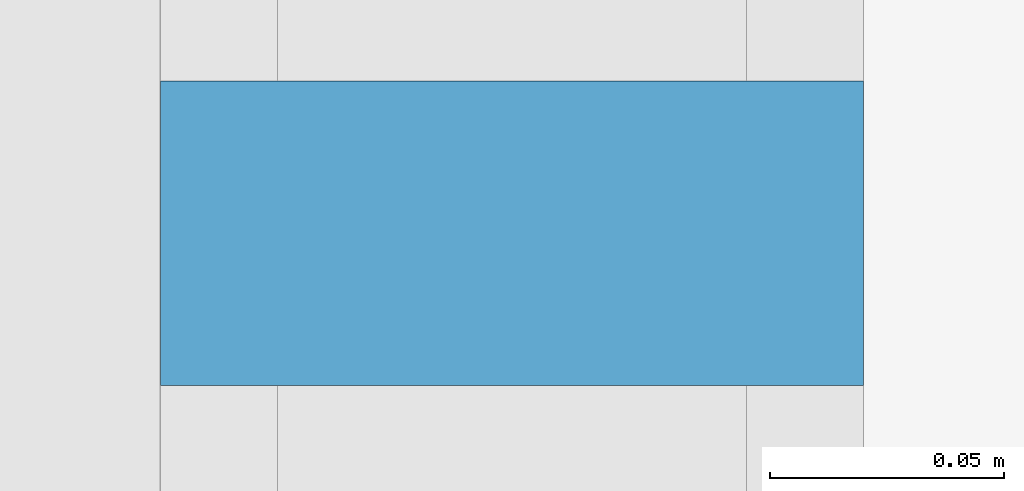
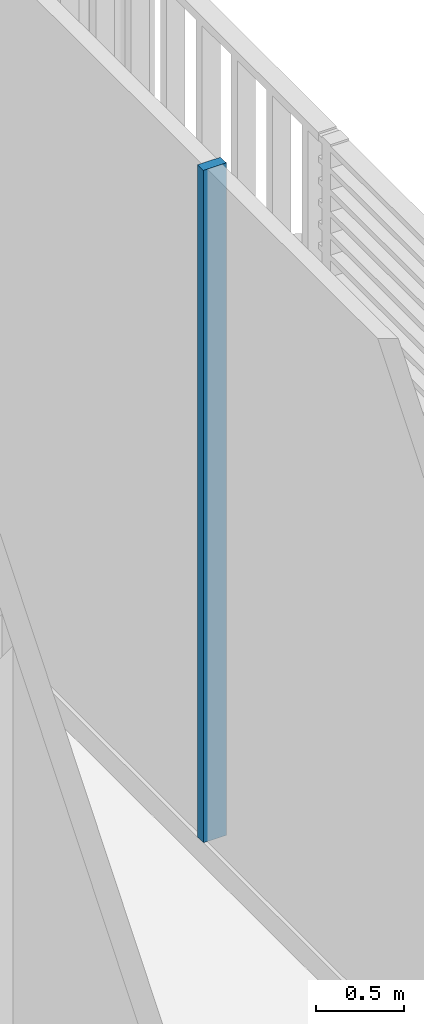
# One storey, part 11 of 22: 1 member, 1 element without a shape of its own.
"""IFC4 building model written with IfcOpenShell, lengths in metres."""

import ifcopenshell
import ifcopenshell.guid

model = None  # the IFC model being written
_history = None  # IfcOwnerHistory: only IFC2X3 demands one
_inside = {}  # id of a spatial element -> (the spatial element, [elements in it])
_under = {}  # id of a project, library or spatial element -> (it, [spatial elements below it])
_declared = {}  # id of a project -> (the project, [libraries it declares])
_typed = {}  # id of a type object -> (the type object, [elements of that type])
_made_of = {}  # id of a material, layer set ... -> (it, [elements and type objects made of it])


def new_model(schema):
    """Start an empty IFC model of exactly this schema.

    Asked for "IFC4X3", IfcOpenShell would pick the latest addendum, in which some entities
    have other attributes; the version numbers below select the first issue.
    IFC2X3 requires an IfcOwnerHistory on every rooted entity: one is made here for all.
    """
    global model, _history
    if schema == "IFC4X3":
        model = ifcopenshell.file(schema_version=(4, 3, 0, 0))
    else:
        model = ifcopenshell.file(schema=schema)
    _inside.clear()
    _under.clear()
    _declared.clear()
    _typed.clear()
    _made_of.clear()
    _history = None
    if model.schema == "IFC2X3":
        org = make("IfcOrganization", Name="unknown")
        user = make(
            "IfcPersonAndOrganization",
            ThePerson=make("IfcPerson", FamilyName="unknown"),
            TheOrganization=org,
        )
        app = make(
            "IfcApplication",
            ApplicationDeveloper=org,
            Version="unknown",
            ApplicationFullName="unknown",
            ApplicationIdentifier="unknown",
        )
        _history = make(
            "IfcOwnerHistory",
            OwningUser=user,
            OwningApplication=app,
            ChangeAction="ADDED",
            CreationDate=0,
        )
    return model


def make(cls, **values):
    """One entity of the class cls with the attributes given. An attribute that is None is left unset."""
    return model.create_entity(
        cls, **{name: value for name, value in values.items() if value is not None}
    )


def rooted(cls, **values):
    """An entity with a GlobalId (a new one), such as an element, a storey or a relation."""
    return make(cls, GlobalId=ifcopenshell.guid.new(), OwnerHistory=_history, **values)


def si_unit(unit_type, name, prefix=None):
    """IfcSIUnit, for example si_unit("LENGTHUNIT", "METRE", prefix="MILLI")."""
    return make("IfcSIUnit", UnitType=unit_type, Prefix=prefix, Name=name)


def assignment(units):
    """IfcUnitAssignment: the units of a project."""
    return None if units is None else make("IfcUnitAssignment", Units=units)


def point(xyz):
    """IfcCartesianPoint."""
    return None if xyz is None else make("IfcCartesianPoint", Coordinates=xyz)


def direction(xyz):
    """IfcDirection."""
    return None if xyz is None else make("IfcDirection", DirectionRatios=xyz)


def frame(location, z_axis=None, x_axis=None):
    """IfcAxis2Placement3D, a coordinate frame: its origin and axes. An axis left out is left unset."""
    return make(
        "IfcAxis2Placement3D",
        Location=point(location),
        Axis=direction(z_axis),
        RefDirection=direction(x_axis),
    )


def frame_2d(location, x_axis=None):
    """IfcAxis2Placement2D, a coordinate frame in the plane: its origin and x axis."""
    return make(
        "IfcAxis2Placement2D", Location=point(location), RefDirection=direction(x_axis)
    )


def origin():
    """The frame at (0, 0, 0) with its axes left unset."""
    return frame((0.0, 0.0, 0.0))


def origin_2d():
    """The frame at (0, 0) in the plane with its x axis left unset."""
    return frame_2d((0.0, 0.0))


def place(relative_to, where):
    """IfcLocalPlacement: puts the frame where relative to a parent placement (None: the world)."""
    return make(
        "IfcLocalPlacement", PlacementRelTo=relative_to, RelativePlacement=where
    )


def context(
    kind, dimensions, precision=None, world=None, true_north=None, identifier=None
):
    """IfcGeometricRepresentationContext, for example the 3D "Model" context."""
    return make(
        "IfcGeometricRepresentationContext",
        ContextIdentifier=identifier,
        ContextType=kind,
        CoordinateSpaceDimension=dimensions,
        Precision=precision,
        WorldCoordinateSystem=world,
        TrueNorth=true_north,
    )


def subcontext(parent, identifier, kind, view, scale=None):
    """IfcGeometricRepresentationSubContext, for example "Body" below "Model"."""
    return make(
        "IfcGeometricRepresentationSubContext",
        ContextIdentifier=identifier,
        ContextType=kind,
        ParentContext=parent,
        TargetScale=scale,
        TargetView=view,
    )


def project(units=None, contexts=None):
    """IfcProject with its units and contexts."""
    return rooted(
        "IfcProject",
        Name="project",
        RepresentationContexts=contexts,
        UnitsInContext=assignment(units),
    )


def spatial(cls, under=None, at=None, **own):
    """A site, building, storey or space (cls), placed at a placement, below another one or the project."""
    s = rooted(cls, ObjectPlacement=at, **own)
    if under is not None:
        _under.setdefault(under.id(), (under, []))[1].append(s)
    return s


def profile(cls, at=None, kind="AREA", **sizes):
    """A parametric profile (cls). Its sizes go by their IFC names, for example OverallWidth=200.0."""
    return make(cls, ProfileType=kind, Position=at, **sizes)


def rectangle(**sizes):
    """IfcRectangleProfileDef."""
    return profile("IfcRectangleProfileDef", **sizes)


def extrude(swept, where, along, depth):
    """IfcExtrudedAreaSolid: the profile swept, set in the frame where, extruded along a direction by depth."""
    return make(
        "IfcExtrudedAreaSolid",
        SweptArea=swept,
        Position=where,
        ExtrudedDirection=direction(along),
        Depth=depth,
    )


def shape(context_of_items, identifier, shape_type, items):
    """IfcShapeRepresentation: the items that make up one representation, for example the "Body"."""
    return make(
        "IfcShapeRepresentation",
        ContextOfItems=context_of_items,
        RepresentationIdentifier=identifier,
        RepresentationType=shape_type,
        Items=items,
    )


def material(Name=None, Category=None):
    """IfcMaterial."""
    return make("IfcMaterial", Name=Name, Category=Category)


def layer(
    of_material, thickness, ventilated=None, Name=None, Category=None, Priority=None
):
    """IfcMaterialLayer: one layer of a wall or slab, of a material (None: an air gap)."""
    return make(
        "IfcMaterialLayer",
        Material=of_material,
        LayerThickness=thickness,
        IsVentilated=ventilated,
        Name=Name,
        Category=Category,
        Priority=Priority,
    )


def layer_set(layers, Name=None):
    """IfcMaterialLayerSet."""
    return make("IfcMaterialLayerSet", MaterialLayers=layers, LayerSetName=Name)


def material_profile(
    of_material, cross_section, Name=None, Category=None, Priority=None
):
    """IfcMaterialProfile: a cross section and its material."""
    return make(
        "IfcMaterialProfile",
        Name=Name,
        Material=of_material,
        Profile=cross_section,
        Priority=Priority,
        Category=Category,
    )


def profile_set(profiles, Name=None, composite=None):
    """IfcMaterialProfileSet."""
    return make(
        "IfcMaterialProfileSet",
        Name=Name,
        MaterialProfiles=profiles,
        CompositeProfile=composite,
    )


def made_of(thing, what):
    """Note that an element or type object is made of a material, layer set ...; save() writes the relation."""
    if what is not None:
        _made_of.setdefault(what.id(), (what, []))[1].append(thing)
    return thing


def type_object(cls, material=None, **own):
    """A type object (cls), such as IfcWallType, which elements share."""
    return made_of(rooted(cls, **own), material)


def element(
    cls,
    number,
    at=None,
    inside=None,
    cuts=None,
    type_object=None,
    material=None,
    context=None,
    identifier="Body",
    shape_type=None,
    held_by="IfcProductDefinitionShape",
    body=None,
    shapes=None,
    **own,
):
    """One element of the class cls, such as IfcWall. Its Tag is "e" and its number.

    at: its placement. inside: the storey or other place that contains it. cuts: it is an
    opening in that element (IfcRelVoidsElement). A single representation is given by context,
    identifier, shape_type and body (its items); several are given by shapes. held_by: the class
    of the entity that holds the representations. save() writes the other relations.
    """
    e = rooted(cls, Tag="e%d" % number, ObjectPlacement=at, **own)
    if body is not None:
        shapes = [shape(context, identifier, shape_type, body)]
    if shapes is not None:
        e.Representation = make(held_by, Representations=shapes)
    if inside is not None:
        _inside.setdefault(inside.id(), (inside, []))[1].append(e)
    if cuts is not None:
        rooted(
            "IfcRelVoidsElement", RelatingBuildingElement=cuts, RelatedOpeningElement=e
        )
    if type_object is not None:
        _typed.setdefault(type_object.id(), (type_object, []))[1].append(e)
    return made_of(e, material)


def aggregate(whole, parts):
    """IfcRelAggregates: a whole, such as a stair, and the parts it consists of."""
    return rooted("IfcRelAggregates", RelatingObject=whole, RelatedObjects=parts)


def save(model, path):
    """Write the relations noted so far, then the file.

    IfcRelAggregates (storeys below a building ...), IfcRelContainedInSpatialStructure (elements
    in a storey), IfcRelDefinesByType, IfcRelAssociatesMaterial and IfcRelDeclares: one each for
    every whole, place, type object, material and project.
    """
    for whole, parts in _under.values():
        aggregate(whole, parts)
    for where, things in _inside.values():
        rooted(
            "IfcRelContainedInSpatialStructure",
            RelatedElements=things,
            RelatingStructure=where,
        )
    for kind, things in _typed.values():
        rooted("IfcRelDefinesByType", RelatedObjects=things, RelatingType=kind)
    for what, things in _made_of.values():
        rooted("IfcRelAssociatesMaterial", RelatedObjects=things, RelatingMaterial=what)
    for by, libraries in _declared.values():
        rooted("IfcRelDeclares", RelatingContext=by, RelatedDefinitions=libraries)
    model.write(path)


model = new_model("IFC4")

# Units and contexts
model_context = context("Model", 3, precision=1e-05, world=origin(), true_north=direction((0.0, 1.0)))
body_context = subcontext(model_context, "Body", "Model", "MODEL_VIEW")
ifc_project = project(units=[si_unit("LENGTHUNIT", "METRE"), si_unit("AREAUNIT", "SQUARE_METRE"), si_unit("VOLUMEUNIT", "CUBIC_METRE"), si_unit("PLANEANGLEUNIT", "RADIAN"), si_unit("MASSUNIT", "GRAM", prefix="KILO")], contexts=[model_context])

# Site, building, storey
site_placement = place(None, origin())
site = spatial("IfcSite", under=ifc_project, at=site_placement, CompositionType="ELEMENT")
building_placement = place(site_placement, origin())
building = spatial("IfcBuilding", under=site, at=building_placement, Name="Millrace Tower", CompositionType="ELEMENT")
storey_placement = place(building_placement, frame((0.0, 0.0, 44.89990234375)))
storey = spatial("IfcBuildingStorey", under=building, at=storey_placement, Name="L10", CompositionType="ELEMENT", Elevation=44.89990234375)

# Curtain wall, member
ifc_material_1 = material(Name="Aluminium and glass", Category="aluminium")
ifc_layer = layer(ifc_material_1, 0.14990234375)
ifc_layer_set = layer_set([ifc_layer], Name="Aluminium and glass")
curtain_wall_type = type_object("IfcCurtainWallType", Name="CW-2 data hall insulated curtain wall", PredefinedType="NOTDEFINED", material=ifc_layer_set)
curtain_wall_placement = place(storey_placement, origin())
curtain_wall = element("IfcCurtainWall", 1, at=curtain_wall_placement, inside=storey, type_object=curtain_wall_type, Name="Curtain wall A-F04 L10", PredefinedType="NOTDEFINED")
ifc_material_2 = material(Name="Aluminium", Category="aluminium")
ifc_material_profile = material_profile(ifc_material_2, rectangle(XDim=0.06494140625, YDim=0.14990234375, at=origin_2d()))
ifc_profile_set = profile_set([ifc_material_profile], Name="Aluminium")
member_type = type_object("IfcMemberType", Name="CW-2 data hall insulated curtain wall mullion", PredefinedType="MULLION", material=ifc_profile_set)
member_placement = place(storey_placement, frame((25.074951171875, 2.382568359375, 0.16015625), z_axis=(0.0, 0.0, 1.0), x_axis=(0.0, 1.0, 0.0)))
member = element("IfcMember", 2, at=member_placement, type_object=member_type, Name="CW2 mullion A-F04.6", PredefinedType="MULLION", context=body_context, shape_type="SweptSolid", body=[
    extrude(rectangle(XDim=0.06494140625, YDim=0.14990234375, at=origin_2d()), origin(), (0.0, 0.0, 1.0), 4.639892578125),
])
aggregate(curtain_wall, [member])

save(model, "model.ifc")
